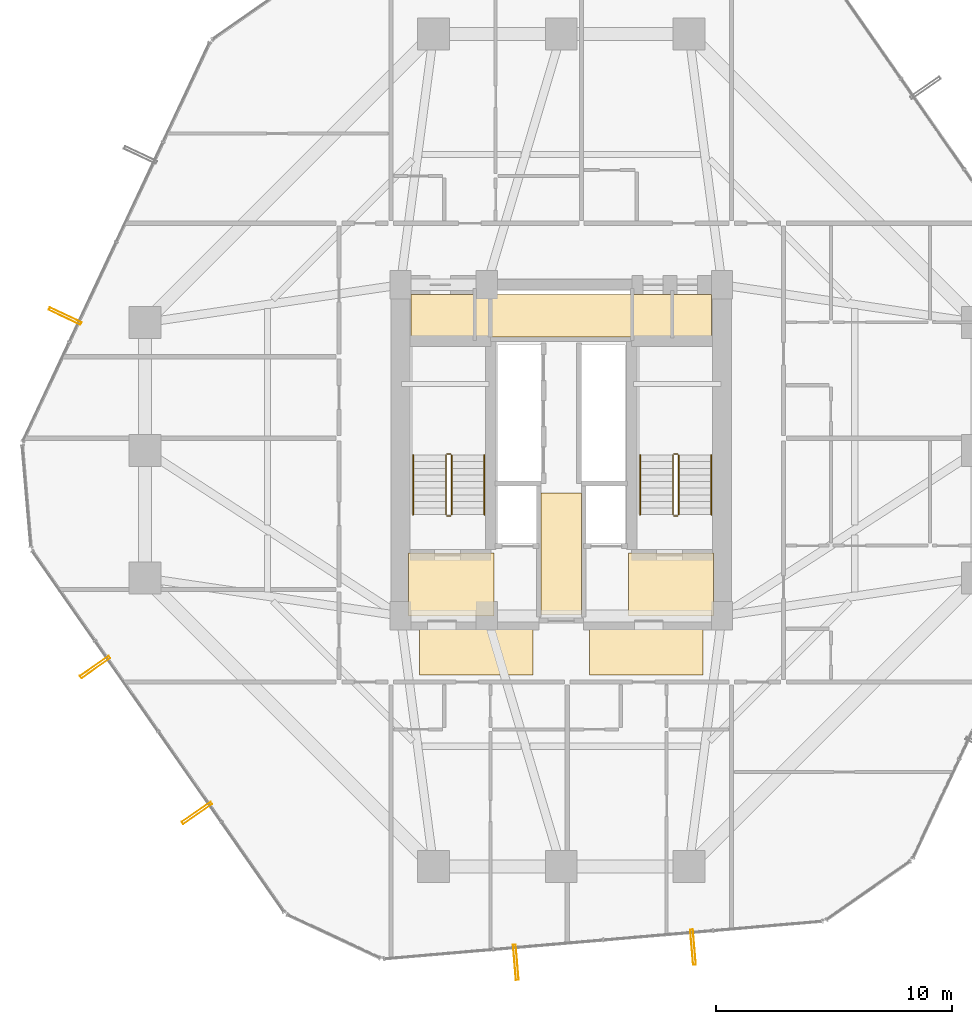
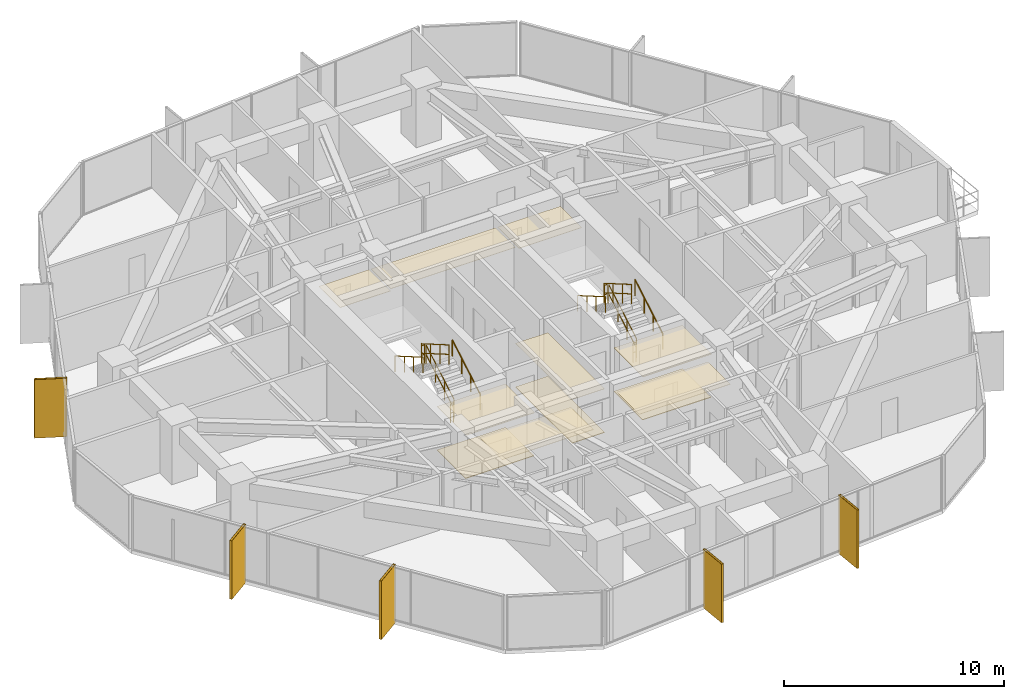
# One storey, part 36 of 37: 12 railings, 11 coverings, 5 shading devices.
"""IFC4 building model written with IfcOpenShell, lengths in metres."""

from ifc_helpers import new_model, si_unit, direction, frame, origin, origin_2d, place, context, subcontext, project, spatial, polyline, hollow_rectangle, circle, outline, extrude, material, layer, layer_set, material_profile, profile_set, type_object, element, save


model = new_model("IFC4")

# Units and contexts
model_context = context("Model", 3, precision=1e-05, world=origin(), true_north=direction((0.0, 1.0)))
body_context = subcontext(model_context, "Body", "Model", "MODEL_VIEW")
ifc_project = project(units=[si_unit("LENGTHUNIT", "METRE"), si_unit("AREAUNIT", "SQUARE_METRE"), si_unit("VOLUMEUNIT", "CUBIC_METRE"), si_unit("PLANEANGLEUNIT", "RADIAN"), si_unit("MASSUNIT", "GRAM", prefix="KILO")], contexts=[model_context])

# Site, building, storey
site_placement = place(None, origin())
site = spatial("IfcSite", under=ifc_project, at=site_placement, CompositionType="ELEMENT")
building_placement = place(site_placement, origin())
building = spatial("IfcBuilding", under=site, at=building_placement, Name="Veraguas Prism Commons", CompositionType="ELEMENT")
storey_placement = place(building_placement, frame((0.0, 0.0, 40.300048828125)))
storey = spatial("IfcBuildingStorey", under=building, at=storey_placement, Name="L10", CompositionType="ELEMENT", Elevation=40.300048828125)

# Shading devices
ifc_material_1 = material(Name="Anodised aluminium EN AW-6063 T6", Category="aluminium")
ifc_material_profile = material_profile(ifc_material_1, hollow_rectangle(XDim=0.1201171875, YDim=1.489990234375, WallThickness=0.006103515625, at=origin_2d()), Name="FIN120X1490X6")
ifc_profile_set = profile_set([ifc_material_profile], Name="Anodised aluminium EN AW-6063 T6")
shading_device_type = type_object("IfcShadingDeviceType", Name="Deep Pale-Metal Vertical Solar Fin 120x1490", PredefinedType="USERDEFINED", material=ifc_profile_set)
for number, where, z_axis, x_axis, name in (
    (1, (3.016845703125, 29.67626953125, -0.22998046875), (0.0, 0.0, 1.0), (-0.424199422745, -0.905568799011, 0.0), "Vertical Pale-Metal Solar Fin L10-F3B"),
    (2, (4.289306640625, 14.8349609375, -0.22998046875), (0.0, 0.0, 1.0), (0.57214444201, -0.820152874455, 0.0), "Vertical Pale-Metal Solar Fin L10-F4A"),
    (3, (8.592529296875, 8.666259765625, -0.22998046875), (0.0, 0.0, 1.0), (0.57214444201, -0.820152874455, 0.0), "Vertical Pale-Metal Solar Fin L10-F4B"),
    (4, (22.081787109375, 2.347412109375, -0.22998046875), (0.0, 0.0, 1.0), (0.996345594346, 0.085413445236, 0.0), "Vertical Pale-Metal Solar Fin L10-F5A"),
    (5, (29.57568359375, 2.989990234375, -0.22998046875), (0.0, 0.0, 1.0), (0.996345594346, 0.085413445236, 0.0), "Vertical Pale-Metal Solar Fin L10-F5B"),
):
    element("IfcShadingDevice", number, at=place(storey_placement, frame(where, z_axis=z_axis, x_axis=x_axis)), inside=storey, type_object=shading_device_type, Name=name, ObjectType="FIN", PredefinedType="USERDEFINED", context=body_context, shape_type="SweptSolid", body=[
        extrude(hollow_rectangle(XDim=0.1201171875, YDim=1.489990234375, WallThickness=0.006103515625, at=origin_2d()), origin(), (0.0, 0.0, 1.0), 3.25),
    ])

# Coverings
ifc_material_2 = material(Name="Acoustic gypsum board")
ifc_layer_1 = layer(ifc_material_2, 0.02490234375, Name="Perforated Acoustic Ceiling Tile 25")
ifc_layer_set_1 = layer_set([ifc_layer_1], Name="Acoustic gypsum board")
covering_type_1 = type_object("IfcCoveringType", Name="Perforated Acoustic Ceiling Tile 25", PredefinedType="USERDEFINED", material=ifc_layer_set_1)
covering_1_placement = place(storey_placement, frame((0.0, 0.0, 2.425048828125)))
element("IfcCovering", 6, at=covering_1_placement, inside=storey, type_object=covering_type_1, Name="East Lobby Acoustic Ceiling L10", ObjectType="ACOUSTIC CEILING", PredefinedType="USERDEFINED", context=body_context, shape_type="SweptSolid", body=[
    extrude(outline(polyline([(26.85009765625, 17.0), (30.449951171875, 17.0), (30.449951171875, 19.64990234375), (26.85009765625, 19.64990234375), (26.85009765625, 17.0)])), origin(), (0.0, 0.0, 1.0), 0.02490234375),
])
ifc_material_3 = material(Name="Terrazzo stone finish", Category="masonry")
ifc_layer_2 = layer(ifc_material_3, 0.030029296875, Name="Polished Terrazzo Floor Finish 30", Category="masonry")
ifc_layer_set_2 = layer_set([ifc_layer_2], Name="Terrazzo stone finish")
covering_type_2 = type_object("IfcCoveringType", Name="Polished Terrazzo Floor Finish 30", PredefinedType="FLOORING", material=ifc_layer_set_2)
covering_2_placement = place(storey_placement, origin())
element("IfcCovering", 7, at=covering_2_placement, inside=storey, type_object=covering_type_2, Name="Terrazzo Lobby Flooring L10", PredefinedType="FLOORING", context=body_context, shape_type="SweptSolid", body=[
    extrude(outline(polyline([(23.14990234375, 17.050048828125), (24.85009765625, 17.050048828125), (24.85009765625, 22.199951171875), (23.14990234375, 22.199951171875), (23.14990234375, 17.050048828125)])), origin(), (0.0, 0.0, 1.0), 0.030029296875),
])
covering_3_placement = place(storey_placement, origin())
element("IfcCovering", 8, at=covering_3_placement, inside=storey, type_object=covering_type_2, Name="West FF Lobby Terrazzo Flooring L10", PredefinedType="FLOORING", context=body_context, shape_type="SweptSolid", body=[
    extrude(outline(polyline([(17.550048828125, 17.050048828125), (21.14990234375, 17.050048828125), (21.14990234375, 19.64990234375), (17.550048828125, 19.64990234375), (17.550048828125, 17.050048828125)])), origin(), (0.0, 0.0, 1.0), 0.030029296875),
])
covering_4_placement = place(storey_placement, origin())
element("IfcCovering", 9, at=covering_4_placement, inside=storey, type_object=covering_type_2, Name="East FF Lobby Terrazzo Flooring L10", PredefinedType="FLOORING", context=body_context, shape_type="SweptSolid", body=[
    extrude(outline(polyline([(26.85009765625, 17.050048828125), (30.449951171875, 17.050048828125), (30.449951171875, 19.64990234375), (26.85009765625, 19.64990234375), (26.85009765625, 17.050048828125)])), origin(), (0.0, 0.0, 1.0), 0.030029296875),
])

# Railings
ifc_material_4 = material(Name="Stainless steel AISI 316", Category="steel")
railing_type_1 = type_object("IfcRailingType", Name="Stair and Ramp Stainless Handrail 900", PredefinedType="HANDRAIL", material=ifc_material_4)
railing_1_placement = place(storey_placement, frame((20.75, 21.280029296875, 0.162353515625)))
element("IfcRailing", 10, at=railing_1_placement, inside=storey, type_object=railing_type_1, Name="Stair Handrail ST-01 L10-1", PredefinedType="HANDRAIL", context=body_context, shape_type="SweptSolid", body=[
    extrude(circle(Radius=0.02392578125, at=origin_2d()), frame((0.0, 0.0, 0.8759765625), z_axis=(0.0, 0.864876961378, 0.501983905795), x_axis=(-1.0, 0.0, 0.0)), (0.0, 0.0, 1.0), 2.913818359375),
    extrude(circle(Radius=0.02099609375, at=origin_2d()), origin(), (0.0, 0.0, 1.0), 0.851806640625),
    extrude(circle(Radius=0.02099609375, at=origin_2d()), frame((0.0, 0.840087890625, 0.487548828125)), (0.0, 0.0, 1.0), 0.851806640625),
    extrude(circle(Radius=0.02099609375, at=origin_2d()), frame((0.0, 1.679931640625, 0.97509765625)), (0.0, 0.0, 1.0), 0.851806640625),
    extrude(circle(Radius=0.02099609375, at=origin_2d()), frame((0.0, 2.52001953125, 1.462646484375)), (0.0, 0.0, 1.0), 0.851806640625),
])
railing_2_placement = place(storey_placement, frame((17.739990234375, 23.800048828125, 1.787353515625)))
element("IfcRailing", 11, at=railing_2_placement, inside=storey, type_object=railing_type_1, Name="Stair Handrail ST-01 L10-2", PredefinedType="HANDRAIL", context=body_context, shape_type="SweptSolid", body=[
    extrude(circle(Radius=0.02392578125, at=origin_2d()), frame((0.0, 0.0, 0.8759765625), z_axis=(0.0, -0.864876961378, 0.501983905795), x_axis=(1.0, 0.0, 0.0)), (0.0, 0.0, 1.0), 2.913818359375),
    extrude(circle(Radius=0.02099609375, at=origin_2d()), origin(), (0.0, 0.0, 1.0), 0.851806640625),
    extrude(circle(Radius=0.02099609375, at=origin_2d()), frame((0.0, -0.840087890625, 0.487548828125)), (0.0, 0.0, 1.0), 0.851806640625),
    extrude(circle(Radius=0.02099609375, at=origin_2d()), frame((0.0, -1.679931640625, 0.97509765625)), (0.0, 0.0, 1.0), 0.851806640625),
    extrude(circle(Radius=0.02099609375, at=origin_2d()), frame((0.0, -2.52001953125, 1.462646484375)), (0.0, 0.0, 1.0), 0.851806640625),
])
railing_3_placement = place(storey_placement, frame((30.35009765625, 21.280029296875, 0.162353515625)))
element("IfcRailing", 12, at=railing_3_placement, inside=storey, type_object=railing_type_1, Name="Stair Handrail ST-02 L10-1", PredefinedType="HANDRAIL", context=body_context, shape_type="SweptSolid", body=[
    extrude(circle(Radius=0.02392578125, at=origin_2d()), frame((0.0, 0.0, 0.8759765625), z_axis=(0.0, 0.864876961378, 0.501983905795), x_axis=(-1.0, 0.0, 0.0)), (0.0, 0.0, 1.0), 2.913818359375),
    extrude(circle(Radius=0.02099609375, at=origin_2d()), origin(), (0.0, 0.0, 1.0), 0.851806640625),
    extrude(circle(Radius=0.02099609375, at=origin_2d()), frame((0.0, 0.840087890625, 0.487548828125)), (0.0, 0.0, 1.0), 0.851806640625),
    extrude(circle(Radius=0.02099609375, at=origin_2d()), frame((0.0, 1.679931640625, 0.97509765625)), (0.0, 0.0, 1.0), 0.851806640625),
    extrude(circle(Radius=0.02099609375, at=origin_2d()), frame((0.0, 2.52001953125, 1.462646484375)), (0.0, 0.0, 1.0), 0.851806640625),
])
railing_4_placement = place(storey_placement, frame((27.340087890625, 23.800048828125, 1.787353515625)))
element("IfcRailing", 13, at=railing_4_placement, inside=storey, type_object=railing_type_1, Name="Stair Handrail ST-02 L10-2", PredefinedType="HANDRAIL", context=body_context, shape_type="SweptSolid", body=[
    extrude(circle(Radius=0.02392578125, at=origin_2d()), frame((0.0, 0.0, 0.8759765625), z_axis=(0.0, -0.864876961378, 0.501983905795), x_axis=(1.0, 0.0, 0.0)), (0.0, 0.0, 1.0), 2.913818359375),
    extrude(circle(Radius=0.02099609375, at=origin_2d()), origin(), (0.0, 0.0, 1.0), 0.851806640625),
    extrude(circle(Radius=0.02099609375, at=origin_2d()), frame((0.0, -0.840087890625, 0.487548828125)), (0.0, 0.0, 1.0), 0.851806640625),
    extrude(circle(Radius=0.02099609375, at=origin_2d()), frame((0.0, -1.679931640625, 0.97509765625)), (0.0, 0.0, 1.0), 0.851806640625),
    extrude(circle(Radius=0.02099609375, at=origin_2d()), frame((0.0, -2.52001953125, 1.462646484375)), (0.0, 0.0, 1.0), 0.851806640625),
])
railing_type_2 = type_object("IfcRailingType", Name="Stairwell Safety Guardrail 1100", PredefinedType="GUARDRAIL", material=ifc_material_4)
railing_5_placement = place(storey_placement, frame((19.3701171875, 21.280029296875, 0.162353515625)))
element("IfcRailing", 14, at=railing_5_placement, inside=storey, type_object=railing_type_2, Name="Stair Guard ST-01 L10-1", PredefinedType="GUARDRAIL", context=body_context, shape_type="SweptSolid", body=[
    extrude(circle(Radius=0.02392578125, at=origin_2d()), frame((0.0, 0.0, 1.076171875), z_axis=(0.0, 0.864876961378, 0.501983905795), x_axis=(-1.0, 0.0, 0.0)), (0.0, 0.0, 1.0), 2.913818359375),
    extrude(circle(Radius=0.02392578125, at=origin_2d()), frame((0.0, 0.0, 0.550048828125), z_axis=(0.0, 0.864876961378, 0.501983905795), x_axis=(-1.0, 0.0, 0.0)), (0.0, 0.0, 1.0), 2.913818359375),
    extrude(circle(Radius=0.02099609375, at=origin_2d()), origin(), (0.0, 0.0, 1.0), 1.052001953125),
    extrude(circle(Radius=0.02099609375, at=origin_2d()), frame((0.0, 0.840087890625, 0.487548828125)), (0.0, 0.0, 1.0), 1.052001953125),
    extrude(circle(Radius=0.02099609375, at=origin_2d()), frame((0.0, 1.679931640625, 0.97509765625)), (0.0, 0.0, 1.0), 1.052001953125),
    extrude(circle(Radius=0.02099609375, at=origin_2d()), frame((0.0, 2.52001953125, 1.462646484375)), (0.0, 0.0, 1.0), 1.052001953125),
])
railing_6_placement = place(storey_placement, frame((19.320068359375, 23.85009765625, 1.625)))
element("IfcRailing", 15, at=railing_6_placement, inside=storey, type_object=railing_type_2, Name="Stair Guard ST-01 L10-2", PredefinedType="GUARDRAIL", context=body_context, shape_type="SweptSolid", body=[
    extrude(circle(Radius=0.02392578125, at=origin_2d()), frame((0.0, 0.0, 1.076171875), z_axis=(-1.0, 0.0, 0.0), x_axis=(0.0, -1.0, 0.0)), (0.0, 0.0, 1.0), 0.150146484375),
    extrude(circle(Radius=0.02392578125, at=origin_2d()), frame((0.0, 0.0, 0.550048828125), z_axis=(-1.0, 0.0, 0.0), x_axis=(0.0, -1.0, 0.0)), (0.0, 0.0, 1.0), 0.150146484375),
    extrude(circle(Radius=0.02099609375, at=origin_2d()), origin(), (0.0, 0.0, 1.0), 1.052001953125),
    extrude(circle(Radius=0.02099609375, at=origin_2d()), frame((-0.150146484375, 0.0, 0.0)), (0.0, 0.0, 1.0), 1.052001953125),
])
railing_7_placement = place(storey_placement, frame((19.1201171875, 23.800048828125, 1.787353515625)))
element("IfcRailing", 16, at=railing_7_placement, inside=storey, type_object=railing_type_2, Name="Stair Guard ST-01 L10-3", PredefinedType="GUARDRAIL", context=body_context, shape_type="SweptSolid", body=[
    extrude(circle(Radius=0.02392578125, at=origin_2d()), frame((0.0, 0.0, 1.076171875), z_axis=(0.0, -0.864876961378, 0.501983905795), x_axis=(1.0, 0.0, 0.0)), (0.0, 0.0, 1.0), 2.913818359375),
    extrude(circle(Radius=0.02392578125, at=origin_2d()), frame((0.0, 0.0, 0.550048828125), z_axis=(0.0, -0.864876961378, 0.501983905795), x_axis=(1.0, 0.0, 0.0)), (0.0, 0.0, 1.0), 2.913818359375),
    extrude(circle(Radius=0.02099609375, at=origin_2d()), origin(), (0.0, 0.0, 1.0), 1.052001953125),
    extrude(circle(Radius=0.02099609375, at=origin_2d()), frame((0.0, -0.840087890625, 0.487548828125)), (0.0, 0.0, 1.0), 1.052001953125),
    extrude(circle(Radius=0.02099609375, at=origin_2d()), frame((0.0, -1.679931640625, 0.97509765625)), (0.0, 0.0, 1.0), 1.052001953125),
    extrude(circle(Radius=0.02099609375, at=origin_2d()), frame((0.0, -2.52001953125, 1.462646484375)), (0.0, 0.0, 1.0), 1.052001953125),
])
railing_8_placement = place(storey_placement, frame((19.320068359375, 21.22998046875, 0.0)))
element("IfcRailing", 17, at=railing_8_placement, inside=storey, type_object=railing_type_2, Name="Stair Guard ST-01 L10-4", PredefinedType="GUARDRAIL", context=body_context, shape_type="SweptSolid", body=[
    extrude(circle(Radius=0.02392578125, at=origin_2d()), frame((0.0, 0.0, 1.076171875), z_axis=(-1.0, 0.0, 0.0), x_axis=(0.0, -1.0, 0.0)), (0.0, 0.0, 1.0), 0.150146484375),
    extrude(circle(Radius=0.02392578125, at=origin_2d()), frame((0.0, 0.0, 0.550048828125), z_axis=(-1.0, 0.0, 0.0), x_axis=(0.0, -1.0, 0.0)), (0.0, 0.0, 1.0), 0.150146484375),
    extrude(circle(Radius=0.02099609375, at=origin_2d()), origin(), (0.0, 0.0, 1.0), 1.052001953125),
    extrude(circle(Radius=0.02099609375, at=origin_2d()), frame((-0.150146484375, 0.0, 0.0)), (0.0, 0.0, 1.0), 1.052001953125),
])
railing_9_placement = place(storey_placement, frame((28.969970703125, 21.280029296875, 0.162353515625)))
element("IfcRailing", 18, at=railing_9_placement, inside=storey, type_object=railing_type_2, Name="Stair Guard ST-02 L10-1", PredefinedType="GUARDRAIL", context=body_context, shape_type="SweptSolid", body=[
    extrude(circle(Radius=0.02392578125, at=origin_2d()), frame((0.0, 0.0, 1.076171875), z_axis=(0.0, 0.864876961378, 0.501983905795), x_axis=(-1.0, 0.0, 0.0)), (0.0, 0.0, 1.0), 2.913818359375),
    extrude(circle(Radius=0.02392578125, at=origin_2d()), frame((0.0, 0.0, 0.550048828125), z_axis=(0.0, 0.864876961378, 0.501983905795), x_axis=(-1.0, 0.0, 0.0)), (0.0, 0.0, 1.0), 2.913818359375),
    extrude(circle(Radius=0.02099609375, at=origin_2d()), origin(), (0.0, 0.0, 1.0), 1.052001953125),
    extrude(circle(Radius=0.02099609375, at=origin_2d()), frame((0.0, 0.840087890625, 0.487548828125)), (0.0, 0.0, 1.0), 1.052001953125),
    extrude(circle(Radius=0.02099609375, at=origin_2d()), frame((0.0, 1.679931640625, 0.97509765625)), (0.0, 0.0, 1.0), 1.052001953125),
    extrude(circle(Radius=0.02099609375, at=origin_2d()), frame((0.0, 2.52001953125, 1.462646484375)), (0.0, 0.0, 1.0), 1.052001953125),
])
railing_10_placement = place(storey_placement, frame((28.919921875, 23.85009765625, 1.625)))
element("IfcRailing", 19, at=railing_10_placement, inside=storey, type_object=railing_type_2, Name="Stair Guard ST-02 L10-2", PredefinedType="GUARDRAIL", context=body_context, shape_type="SweptSolid", body=[
    extrude(circle(Radius=0.02392578125, at=origin_2d()), frame((0.0, 0.0, 1.076171875), z_axis=(-1.0, 0.0, 0.0), x_axis=(0.0, -1.0, 0.0)), (0.0, 0.0, 1.0), 0.14990234375),
    extrude(circle(Radius=0.02392578125, at=origin_2d()), frame((0.0, 0.0, 0.550048828125), z_axis=(-1.0, 0.0, 0.0), x_axis=(0.0, -1.0, 0.0)), (0.0, 0.0, 1.0), 0.14990234375),
    extrude(circle(Radius=0.02099609375, at=origin_2d()), origin(), (0.0, 0.0, 1.0), 1.052001953125),
    extrude(circle(Radius=0.02099609375, at=origin_2d()), frame((-0.14990234375, 0.0, 0.0)), (0.0, 0.0, 1.0), 1.052001953125),
])
railing_11_placement = place(storey_placement, frame((28.719970703125, 23.800048828125, 1.787353515625)))
element("IfcRailing", 20, at=railing_11_placement, inside=storey, type_object=railing_type_2, Name="Stair Guard ST-02 L10-3", PredefinedType="GUARDRAIL", context=body_context, shape_type="SweptSolid", body=[
    extrude(circle(Radius=0.02392578125, at=origin_2d()), frame((0.0, 0.0, 1.076171875), z_axis=(0.0, -0.864876961378, 0.501983905795), x_axis=(1.0, 0.0, 0.0)), (0.0, 0.0, 1.0), 2.913818359375),
    extrude(circle(Radius=0.02392578125, at=origin_2d()), frame((0.0, 0.0, 0.550048828125), z_axis=(0.0, -0.864876961378, 0.501983905795), x_axis=(1.0, 0.0, 0.0)), (0.0, 0.0, 1.0), 2.913818359375),
    extrude(circle(Radius=0.02099609375, at=origin_2d()), origin(), (0.0, 0.0, 1.0), 1.052001953125),
    extrude(circle(Radius=0.02099609375, at=origin_2d()), frame((0.0, -0.840087890625, 0.487548828125)), (0.0, 0.0, 1.0), 1.052001953125),
    extrude(circle(Radius=0.02099609375, at=origin_2d()), frame((0.0, -1.679931640625, 0.97509765625)), (0.0, 0.0, 1.0), 1.052001953125),
    extrude(circle(Radius=0.02099609375, at=origin_2d()), frame((0.0, -2.52001953125, 1.462646484375)), (0.0, 0.0, 1.0), 1.052001953125),
])
railing_12_placement = place(storey_placement, frame((28.919921875, 21.22998046875, 0.0)))
element("IfcRailing", 21, at=railing_12_placement, inside=storey, type_object=railing_type_2, Name="Stair Guard ST-02 L10-4", PredefinedType="GUARDRAIL", context=body_context, shape_type="SweptSolid", body=[
    extrude(circle(Radius=0.02392578125, at=origin_2d()), frame((0.0, 0.0, 1.076171875), z_axis=(-1.0, 0.0, 0.0), x_axis=(0.0, -1.0, 0.0)), (0.0, 0.0, 1.0), 0.14990234375),
    extrude(circle(Radius=0.02392578125, at=origin_2d()), frame((0.0, 0.0, 0.550048828125), z_axis=(-1.0, 0.0, 0.0), x_axis=(0.0, -1.0, 0.0)), (0.0, 0.0, 1.0), 0.14990234375),
    extrude(circle(Radius=0.02099609375, at=origin_2d()), origin(), (0.0, 0.0, 1.0), 1.052001953125),
    extrude(circle(Radius=0.02099609375, at=origin_2d()), frame((-0.14990234375, 0.0, 0.0)), (0.0, 0.0, 1.0), 1.052001953125),
])

# Coverings
ifc_layer_3 = layer(ifc_material_2, 0.02001953125, Name="Suspended Gypsum Ceiling 20")
ifc_layer_set_3 = layer_set([ifc_layer_3], Name="Acoustic gypsum board")
covering_type_3 = type_object("IfcCoveringType", Name="Suspended Gypsum Ceiling 20", PredefinedType="CEILING", material=ifc_layer_set_3)
covering_5_placement = place(storey_placement, frame((0.0, 0.0, 2.429931640625)))
element("IfcCovering", 22, at=covering_5_placement, inside=storey, type_object=covering_type_3, Name="West Lobby Suspended Gypsum Ceiling L10", PredefinedType="CEILING", context=body_context, shape_type="SweptSolid", body=[
    extrude(outline(polyline([(17.550048828125, 17.0), (21.14990234375, 17.0), (21.14990234375, 19.64990234375), (17.550048828125, 19.64990234375), (17.550048828125, 17.0)])), origin(), (0.0, 0.0, 1.0), 0.02001953125),
])
covering_6_placement = place(storey_placement, frame((0.0, 0.0, 2.429931640625)))
element("IfcCovering", 23, at=covering_6_placement, inside=storey, type_object=covering_type_3, Name="Core Lobby Acoustic Ceiling L10-1", PredefinedType="CEILING", context=body_context, shape_type="SweptSolid", body=[
    extrude(outline(polyline([(18.0, 14.5), (22.800048828125, 14.5), (22.800048828125, 16.550048828125), (18.0, 16.550048828125), (18.0, 14.5)])), origin(), (0.0, 0.0, 1.0), 0.02001953125),
])
covering_7_placement = place(storey_placement, frame((0.0, 0.0, 2.429931640625)))
element("IfcCovering", 24, at=covering_7_placement, inside=storey, type_object=covering_type_3, Name="Core Lobby Acoustic Ceiling L10-2", PredefinedType="CEILING", context=body_context, shape_type="SweptSolid", body=[
    extrude(outline(polyline([(25.199951171875, 14.5), (30.0, 14.5), (30.0, 16.550048828125), (25.199951171875, 16.550048828125), (25.199951171875, 14.5)])), origin(), (0.0, 0.0, 1.0), 0.02001953125),
])
covering_8_placement = place(storey_placement, frame((0.0, 0.0, 2.429931640625)))
element("IfcCovering", 25, at=covering_8_placement, inside=storey, type_object=covering_type_3, Name="Core Lobby Acoustic Ceiling L10-3", PredefinedType="CEILING", context=body_context, shape_type="SweptSolid", body=[
    extrude(outline(polyline([(23.14990234375, 17.050048828125), (24.85009765625, 17.050048828125), (24.85009765625, 22.199951171875), (23.14990234375, 22.199951171875), (23.14990234375, 17.050048828125)])), origin(), (0.0, 0.0, 1.0), 0.02001953125),
])
covering_9_placement = place(storey_placement, frame((0.0, 0.0, 2.429931640625)))
element("IfcCovering", 26, at=covering_9_placement, inside=storey, type_object=covering_type_3, Name="Core Lobby Acoustic Ceiling L10-4", PredefinedType="CEILING", context=body_context, shape_type="SweptSolid", body=[
    extrude(outline(polyline([(17.64990234375, 28.64990234375), (20.300048828125, 28.64990234375), (20.300048828125, 30.60009765625), (17.64990234375, 30.60009765625), (17.64990234375, 28.64990234375)])), origin(), (0.0, 0.0, 1.0), 0.02001953125),
])
covering_10_placement = place(storey_placement, frame((0.0, 0.0, 2.429931640625)))
element("IfcCovering", 27, at=covering_10_placement, inside=storey, type_object=covering_type_3, Name="Core Lobby Acoustic Ceiling L10-5", PredefinedType="CEILING", context=body_context, shape_type="SweptSolid", body=[
    extrude(outline(polyline([(27.050048828125, 28.64990234375), (30.35009765625, 28.64990234375), (30.35009765625, 30.60009765625), (27.050048828125, 30.60009765625), (27.050048828125, 28.64990234375)])), origin(), (0.0, 0.0, 1.0), 0.02001953125),
])
covering_11_placement = place(storey_placement, frame((0.0, 0.0, 2.429931640625)))
element("IfcCovering", 28, at=covering_11_placement, inside=storey, type_object=covering_type_3, Name="Core Lobby Acoustic Ceiling L10-6", PredefinedType="CEILING", context=body_context, shape_type="SweptSolid", body=[
    extrude(outline(polyline([(20.39990234375, 28.800048828125), (26.949951171875, 28.800048828125), (26.949951171875, 30.60009765625), (20.39990234375, 30.60009765625), (20.39990234375, 28.800048828125)])), origin(), (0.0, 0.0, 1.0), 0.02001953125),
])

save(model, "model.ifc")
